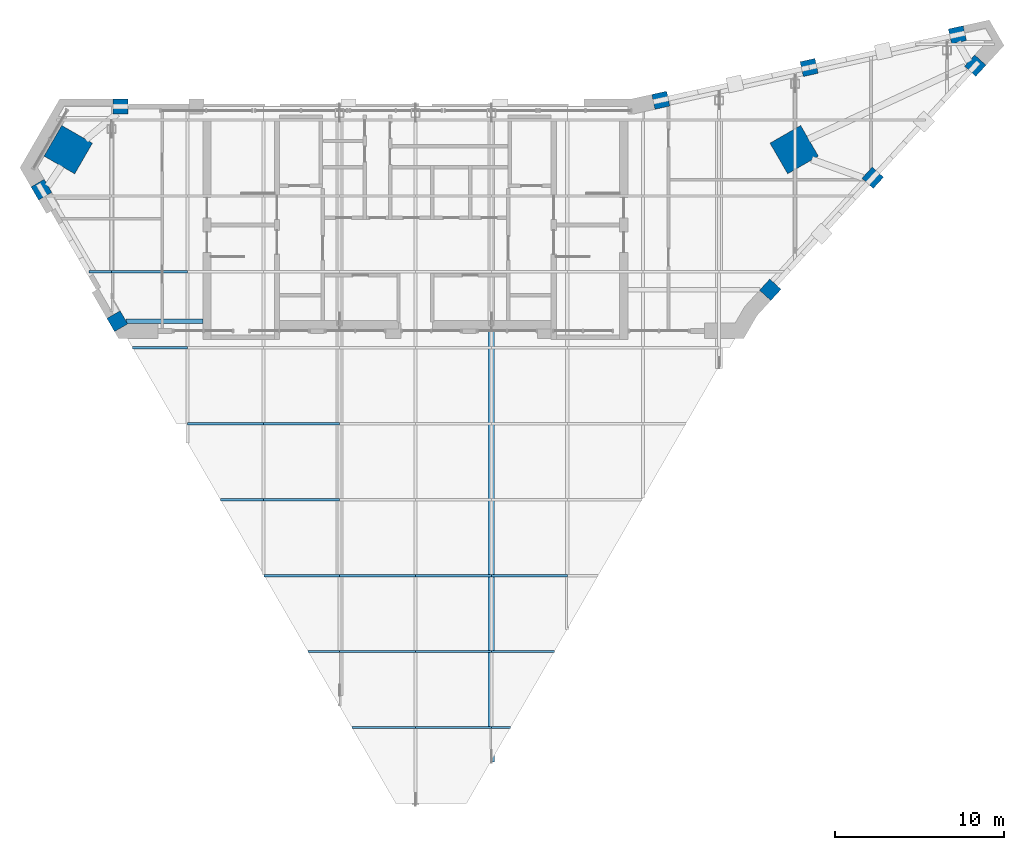
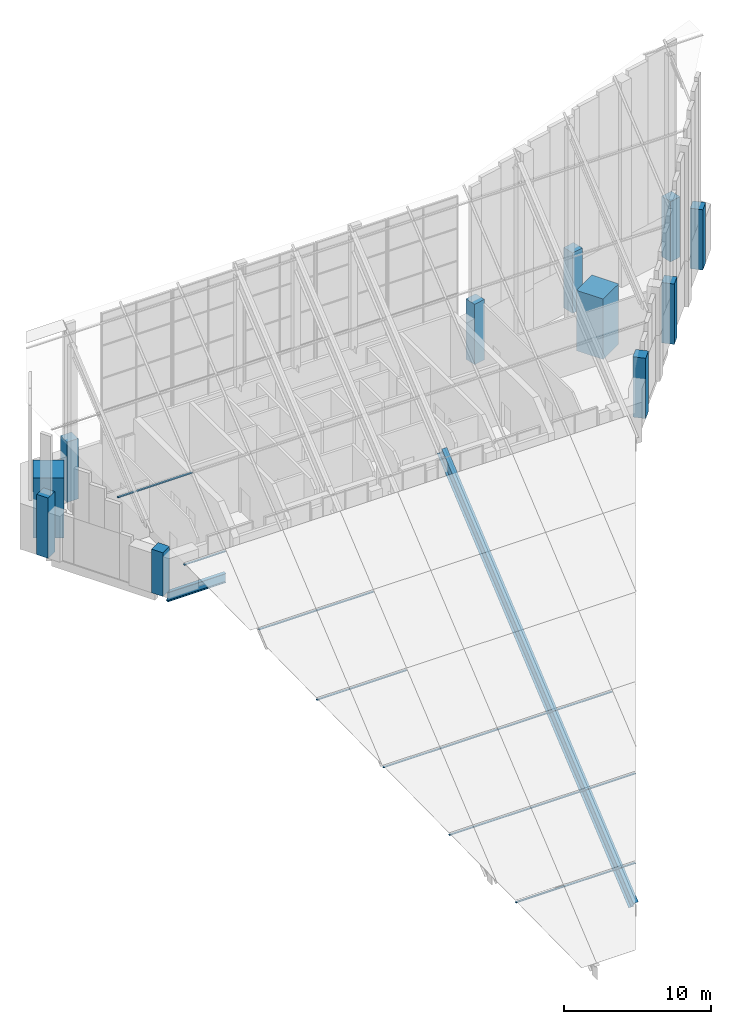
# One storey, part 1 of 19: 18 members, 11 columns, 2 beams, 7 elements without a shape of their own.
"""IFC4 building model written with IfcOpenShell, lengths in metres."""

from ifc_helpers import new_model, si_unit, direction, frame, origin, origin_2d, place, context, subcontext, project, spatial, rectangle, i_section, extrude, material, material_profile, profile_set, type_object, element, aggregate, save


model = new_model("IFC4")

# Units and contexts
model_context = context("Model", 3, precision=1e-05, world=origin(), true_north=direction((0.0, 1.0)))
body_context = subcontext(model_context, "Body", "Model", "MODEL_VIEW")
ifc_project = project(units=[si_unit("LENGTHUNIT", "METRE"), si_unit("AREAUNIT", "SQUARE_METRE"), si_unit("VOLUMEUNIT", "CUBIC_METRE"), si_unit("PLANEANGLEUNIT", "RADIAN"), si_unit("MASSUNIT", "GRAM", prefix="KILO")], contexts=[model_context])

# Site, building, storey
site_placement = place(None, origin())
site = spatial("IfcSite", under=ifc_project, at=site_placement, CompositionType="ELEMENT")
building_placement = place(site_placement, origin())
building = spatial("IfcBuilding", under=site, at=building_placement, Name="Calabash Gate Tower", CompositionType="ELEMENT")
storey_placement = place(building_placement, frame((0.0, 0.0, 335.5)))
storey = spatial("IfcBuildingStorey", under=building, at=storey_placement, Name="L78", CompositionType="ELEMENT", Elevation=335.5)

# Columns
ifc_material_1 = material(Name="Concrete C60/75", Category="concrete")
ifc_material_profile_1 = material_profile(ifc_material_1, rectangle(XDim=2.10009765625, YDim=2.10009765625, at=origin_2d()))
ifc_profile_set_1 = profile_set([ifc_material_profile_1], Name="Concrete C60/75")
column_type_1 = type_object("IfcColumnType", Name="Mega column RC 2100x2100 Concrete C60/75", PredefinedType="COLUMN", material=ifc_profile_set_1)
for number, where, z_axis, x_axis, name in (
    (1, (-20.572998046875, 16.491943359375, 0.0), (0.0, 0.0, 1.0), (0.866025395058, -0.500000015115, 0.0), "Mega column L78 NW"),
    (2, (22.447021484375, 16.491943359375, 0.0), (0.0, 0.0, 1.0), (-0.866025395058, -0.500000015115, 0.0), "Mega column L78 NE"),
):
    element("IfcColumn", number, at=place(storey_placement, frame(where, z_axis=z_axis, x_axis=x_axis)), inside=storey, type_object=column_type_1, Name=name, PredefinedType="COLUMN", context=body_context, shape_type="SweptSolid", body=[
        extrude(rectangle(XDim=2.10009765625, YDim=2.10009765625, at=origin_2d()), origin(), (0.0, 0.0, 1.0), 5.0),
    ])
ifc_material_2 = material(Name="Concrete C50/60", Category="concrete")
ifc_material_profile_2 = material_profile(ifc_material_2, rectangle(XDim=0.89990234375, YDim=0.89990234375, at=origin_2d()))
ifc_profile_set_2 = profile_set([ifc_material_profile_2], Name="Concrete C50/60")
column_type_2 = type_object("IfcColumnType", Name="Perimeter column RC 900x900 Concrete C50/60", PredefinedType="COLUMN", material=ifc_profile_set_2)
column_1_placement = place(storey_placement, frame((-22.162109375, 14.1201171875, 0.0), z_axis=(0.0, 0.0, 1.0), x_axis=(0.500000015115, -0.866025395058, 0.0)))
element("IfcColumn", 3, at=column_1_placement, inside=storey, type_object=column_type_2, Name="Perimeter column L78 P20", PredefinedType="COLUMN", context=body_context, shape_type="SweptSolid", body=[
    extrude(rectangle(XDim=0.89990234375, YDim=0.89990234375, at=origin_2d()), origin(), (0.0, 0.0, 1.0), 5.0),
])
column_2_placement = place(storey_placement, frame((-17.662109375, 6.325927734375, 0.0), z_axis=(0.0, 0.0, 1.0), x_axis=(0.500000015115, -0.866025395058, 0.0)))
element("IfcColumn", 4, at=column_2_placement, inside=storey, type_object=column_type_2, Name="Perimeter column L78 P00", PredefinedType="COLUMN", context=body_context, shape_type="SweptSolid", body=[
    extrude(rectangle(XDim=0.89990234375, YDim=0.89990234375, at=origin_2d()), origin(), (0.0, 0.0, 1.0), 3.614013671875),
])
for number, where, z_axis, x_axis, name in (
    (5, (21.031005859375, 8.18701171875, 0.0), (0.0, 0.0, 1.0), (0.67485604152, 0.737949404244, 0.0), "Perimeter column L78 P12"),
    (6, (27.10400390625, 14.825927734375, 0.0), (0.0, 0.0, 1.0), (0.67485604152, 0.737949404244, 0.0), "Perimeter column L78 P36"),
    (7, (33.177978515625, 21.468017578125, 0.0), (0.0, 0.0, 1.0), (0.67485604152, 0.737949404244, 0.0), "Perimeter column L78 P37"),
    (8, (32.12109375, 23.298095703125, 0.0), (0.0, 0.0, 1.0), (-0.976510951543, -0.215467773731, 0.0), "Perimeter column L78 P38"),
    (9, (23.3330078125, 21.35888671875, 0.0), (0.0, 0.0, 1.0), (-0.976510951543, -0.215467773731, 0.0), "Perimeter column L78 P39"),
    (10, (14.5439453125, 19.4189453125, 0.0), (0.0, 0.0, 1.0), (-0.976510951543, -0.215467773731, 0.0), "Perimeter column L78 P40"),
    (11, (-17.466064453125, 19.052978515625, 0.0), (0.0, 0.0, 1.0), (-1.0, 0.0, 0.0), "Perimeter column L78 P31"),
):
    element("IfcColumn", number, at=place(storey_placement, frame(where, z_axis=z_axis, x_axis=x_axis)), inside=storey, type_object=column_type_2, Name=name, PredefinedType="COLUMN", context=body_context, shape_type="SweptSolid", body=[
        extrude(rectangle(XDim=0.89990234375, YDim=0.89990234375, at=origin_2d()), origin(), (0.0, 0.0, 1.0), 5.0),
    ])

# Beams
ifc_material_3 = material(Name="Steel ASTM A992 Gr50", Category="steel")
ifc_material_profile_3 = material_profile(ifc_material_3, i_section(OverallWidth=0.2666015625, OverallDepth=0.77978515625, WebThickness=0.0166015625, FlangeThickness=0.030029296875, FilletRadius=0.0166015625, at=origin_2d()))
ifc_profile_set_3 = profile_set([ifc_material_profile_3], Name="Steel ASTM A992 Gr50")
beam_type_1 = type_object("IfcBeamType", Name="Girder W30x148 ASTM A992 Gr50", PredefinedType="BEAM", material=ifc_profile_set_3)
beam_1_placement = place(storey_placement, frame((-17.1640625, 6.325927734375, -0.590087890625), z_axis=(1.0, 0.0, 0.0), x_axis=(0.0, 1.0, 0.0)))
element("IfcBeam", 12, at=beam_1_placement, inside=storey, type_object=beam_type_1, Name="Girder L78 1", PredefinedType="BEAM", context=body_context, shape_type="SweptSolid", body=[
    extrude(i_section(OverallWidth=0.2666015625, OverallDepth=0.77978515625, WebThickness=0.0166015625, FlangeThickness=0.030029296875, FilletRadius=0.0166015625, at=origin_2d()), origin(), (0.0, 0.0, 1.0), 4.56396484375),
])
ifc_material_4 = material(Name="Steel ASTM A992 Gr50", Category="steel")
ifc_material_profile_4 = material_profile(ifc_material_4, i_section(OverallWidth=0.4013671875, OverallDepth=1.000732421875, WebThickness=0.01904296875, FlangeThickness=0.0361328125, FilletRadius=0.030029296875, at=origin_2d()))
ifc_profile_set_4 = profile_set([ifc_material_profile_4], Name="Steel ASTM A992 Gr50")
beam_type_2 = type_object("IfcBeamType", Name="Roof rafter W40x249 ASTM A992 Gr50", PredefinedType="BEAM", material=ifc_profile_set_4)
beam_2_placement = place(storey_placement, frame((4.5, -19.47607421875, -18.096923828125), z_axis=(0.0, 0.764987559987, 0.644045055151), x_axis=(-1.0, 0.0, 0.0)))
element("IfcBeam", 13, at=beam_2_placement, inside=storey, type_object=beam_type_2, Name="Roof rafter 5", PredefinedType="BEAM", context=body_context, shape_type="SweptSolid", body=[
    extrude(i_section(OverallWidth=0.4013671875, OverallDepth=1.000732421875, WebThickness=0.01904296875, FlangeThickness=0.0361328125, FilletRadius=0.030029296875, at=origin_2d()), origin(), (0.0, 0.0, 1.0), 33.989990234375),
])

# Curtain wall, member
ifc_material_5 = material(Name="Anodised aluminium frame, bronze finish, clear laminated low-emissivity glazing", Category="aluminium")
curtain_wall_type = type_object("IfcCurtainWallType", Name="Curtain wall CWC crown roof glazing", PredefinedType="NOTDEFINED", material=ifc_material_5)
curtain_wall_1_placement = place(storey_placement, origin())
curtain_wall_1 = element("IfcCurtainWall", 14, at=curtain_wall_1_placement, inside=storey, type_object=curtain_wall_type, Name="Curtain wall CWC roof glazing strip 1", PredefinedType="NOTDEFINED")
ifc_material_6 = material(Name="Anodised aluminium frame, bronze finish", Category="aluminium")
ifc_material_profile_5 = material_profile(ifc_material_6, rectangle(XDim=0.139892578125, YDim=0.06494140625, at=origin_2d()))
ifc_profile_set_5 = profile_set([ifc_material_profile_5], Name="Anodised aluminium frame, bronze finish")
member_type = type_object("IfcMemberType", Name="Transom CWC 65x140", PredefinedType="USERDEFINED", material=ifc_profile_set_5)
member_1_placement = place(storey_placement, frame((-19.34912109375, 9.248046875, 6.6142578125), z_axis=(1.0, 0.0, 0.0), x_axis=(0.0, 1.0, 0.0)))
member_1 = element("IfcMember", 15, at=member_1_placement, type_object=member_type, Name="CWC roof transom 1.1", ObjectType="TRANSOM", PredefinedType="USERDEFINED", context=body_context, shape_type="SweptSolid", body=[
    extrude(rectangle(XDim=0.139892578125, YDim=0.06494140625, at=origin_2d()), origin(), (0.0, 0.0, 1.0), 1.34912109375),
])
aggregate(curtain_wall_1, [member_1])

# Curtain wall, members
curtain_wall_2_placement = place(storey_placement, origin())
curtain_wall_2 = element("IfcCurtainWall", 16, at=curtain_wall_2_placement, inside=storey, type_object=curtain_wall_type, Name="Curtain wall CWC roof glazing strip 2", PredefinedType="NOTDEFINED")
member_2_placement = place(storey_placement, frame((-16.7509765625, 4.748046875, 2.838134765625), z_axis=(1.0, 0.0, 0.0), x_axis=(0.0, 1.0, 0.0)))
member_2 = element("IfcMember", 17, at=member_2_placement, type_object=member_type, Name="CWC roof transom 2.1", ObjectType="TRANSOM", PredefinedType="USERDEFINED", context=body_context, shape_type="SweptSolid", body=[
    extrude(rectangle(XDim=0.139892578125, YDim=0.06494140625, at=origin_2d()), origin(), (0.0, 0.0, 1.0), 3.2509765625),
])
member_3_placement = place(storey_placement, frame((-18.0, 9.248046875, 6.6142578125), z_axis=(1.0, 0.0, 0.0), x_axis=(0.0, 1.0, 0.0)))
member_3 = element("IfcMember", 18, at=member_3_placement, type_object=member_type, Name="CWC roof transom 2.2", ObjectType="TRANSOM", PredefinedType="USERDEFINED", context=body_context, shape_type="SweptSolid", body=[
    extrude(rectangle(XDim=0.139892578125, YDim=0.06494140625, at=origin_2d()), origin(), (0.0, 0.0, 1.0), 4.5),
])
aggregate(curtain_wall_2, [member_2, member_3])

curtain_wall_3_placement = place(storey_placement, origin())
curtain_wall_3 = element("IfcCurtainWall", 19, at=curtain_wall_3_placement, inside=storey, type_object=curtain_wall_type, Name="Curtain wall CWC roof glazing strip 3", PredefinedType="NOTDEFINED")
member_4_placement = place(storey_placement, frame((-11.554931640625, -4.251953125, -4.713623046875), z_axis=(1.0, 0.0, 0.0), x_axis=(0.0, 1.0, 0.0)))
member_4 = element("IfcMember", 20, at=member_4_placement, type_object=member_type, Name="CWC roof transom 3.1", ObjectType="TRANSOM", PredefinedType="USERDEFINED", context=body_context, shape_type="SweptSolid", body=[
    extrude(rectangle(XDim=0.139892578125, YDim=0.06494140625, at=origin_2d()), origin(), (0.0, 0.0, 1.0), 2.554931640625),
])
member_5_placement = place(storey_placement, frame((-13.5, 0.248046875, -0.937744140625), z_axis=(1.0, 0.0, 0.0), x_axis=(0.0, 1.0, 0.0)))
member_5 = element("IfcMember", 21, at=member_5_placement, type_object=member_type, Name="CWC roof transom 3.2", ObjectType="TRANSOM", PredefinedType="USERDEFINED", context=body_context, shape_type="SweptSolid", body=[
    extrude(rectangle(XDim=0.139892578125, YDim=0.06494140625, at=origin_2d()), origin(), (0.0, 0.0, 1.0), 4.5),
])
aggregate(curtain_wall_3, [member_4, member_5])

curtain_wall_4_placement = place(storey_placement, origin())
curtain_wall_4 = element("IfcCurtainWall", 22, at=curtain_wall_4_placement, inside=storey, type_object=curtain_wall_type, Name="Curtain wall CWC roof glazing strip 4", PredefinedType="NOTDEFINED")
member_6_placement = place(storey_placement, frame((-6.358642578125, -13.251953125, -12.265625), z_axis=(1.0, 0.0, 0.0), x_axis=(0.0, 1.0, 0.0)))
member_6 = element("IfcMember", 23, at=member_6_placement, type_object=member_type, Name="CWC roof transom 4.1", ObjectType="TRANSOM", PredefinedType="USERDEFINED", context=body_context, shape_type="SweptSolid", body=[
    extrude(rectangle(XDim=0.139892578125, YDim=0.06494140625, at=origin_2d()), origin(), (0.0, 0.0, 1.0), 1.858642578125),
])
member_7_placement = place(storey_placement, frame((-8.956787109375, -8.751953125, -8.48974609375), z_axis=(1.0, 0.0, 0.0), x_axis=(0.0, 1.0, 0.0)))
member_7 = element("IfcMember", 24, at=member_7_placement, type_object=member_type, Name="CWC roof transom 4.2", ObjectType="TRANSOM", PredefinedType="USERDEFINED", context=body_context, shape_type="SweptSolid", body=[
    extrude(rectangle(XDim=0.139892578125, YDim=0.06494140625, at=origin_2d()), origin(), (0.0, 0.0, 1.0), 4.456787109375),
])
member_8_placement = place(storey_placement, frame((-9.0, -4.251953125, -4.713623046875), z_axis=(1.0, 0.0, 0.0), x_axis=(0.0, 1.0, 0.0)))
member_8 = element("IfcMember", 25, at=member_8_placement, type_object=member_type, Name="CWC roof transom 4.3", ObjectType="TRANSOM", PredefinedType="USERDEFINED", context=body_context, shape_type="SweptSolid", body=[
    extrude(rectangle(XDim=0.139892578125, YDim=0.06494140625, at=origin_2d()), origin(), (0.0, 0.0, 1.0), 4.5),
])
member_9_placement = place(storey_placement, frame((-9.0, 0.248046875, -0.937744140625), z_axis=(1.0, 0.0, 0.0), x_axis=(0.0, 1.0, 0.0)))
member_9 = element("IfcMember", 26, at=member_9_placement, type_object=member_type, Name="CWC roof transom 4.4", ObjectType="TRANSOM", PredefinedType="USERDEFINED", context=body_context, shape_type="SweptSolid", body=[
    extrude(rectangle(XDim=0.139892578125, YDim=0.06494140625, at=origin_2d()), origin(), (0.0, 0.0, 1.0), 4.5),
])
aggregate(curtain_wall_4, [member_6, member_7, member_8, member_9])

curtain_wall_5_placement = place(storey_placement, origin())
curtain_wall_5 = element("IfcCurtainWall", 27, at=curtain_wall_5_placement, inside=storey, type_object=curtain_wall_type, Name="Curtain wall CWC roof glazing strip 5", PredefinedType="NOTDEFINED")
member_10_placement = place(storey_placement, frame((-3.760498046875, -17.751953125, -16.04150390625), z_axis=(1.0, 0.0, 0.0), x_axis=(0.0, 1.0, 0.0)))
member_10 = element("IfcMember", 28, at=member_10_placement, type_object=member_type, Name="CWC roof transom 5.1", ObjectType="TRANSOM", PredefinedType="USERDEFINED", context=body_context, shape_type="SweptSolid", body=[
    extrude(rectangle(XDim=0.139892578125, YDim=0.06494140625, at=origin_2d()), origin(), (0.0, 0.0, 1.0), 3.760498046875),
])
member_11_placement = place(storey_placement, frame((-4.5, -13.251953125, -12.265625), z_axis=(1.0, 0.0, 0.0), x_axis=(0.0, 1.0, 0.0)))
member_11 = element("IfcMember", 29, at=member_11_placement, type_object=member_type, Name="CWC roof transom 5.2", ObjectType="TRANSOM", PredefinedType="USERDEFINED", context=body_context, shape_type="SweptSolid", body=[
    extrude(rectangle(XDim=0.139892578125, YDim=0.06494140625, at=origin_2d()), origin(), (0.0, 0.0, 1.0), 4.5),
])
member_12_placement = place(storey_placement, frame((-4.5, -8.751953125, -8.48974609375), z_axis=(1.0, 0.0, 0.0), x_axis=(0.0, 1.0, 0.0)))
member_12 = element("IfcMember", 30, at=member_12_placement, type_object=member_type, Name="CWC roof transom 5.3", ObjectType="TRANSOM", PredefinedType="USERDEFINED", context=body_context, shape_type="SweptSolid", body=[
    extrude(rectangle(XDim=0.139892578125, YDim=0.06494140625, at=origin_2d()), origin(), (0.0, 0.0, 1.0), 4.5),
])
aggregate(curtain_wall_5, [member_10, member_11, member_12])

curtain_wall_6_placement = place(storey_placement, origin())
curtain_wall_6 = element("IfcCurtainWall", 31, at=curtain_wall_6_placement, inside=storey, type_object=curtain_wall_type, Name="Curtain wall CWC roof glazing strip 6", PredefinedType="NOTDEFINED")
member_13_placement = place(storey_placement, frame((0.0, -17.751953125, -16.04150390625), z_axis=(1.0, 0.0, 0.0), x_axis=(0.0, 1.0, 0.0)))
member_13 = element("IfcMember", 32, at=member_13_placement, type_object=member_type, Name="CWC roof transom 6.1", ObjectType="TRANSOM", PredefinedType="USERDEFINED", context=body_context, shape_type="SweptSolid", body=[
    extrude(rectangle(XDim=0.139892578125, YDim=0.06494140625, at=origin_2d()), origin(), (0.0, 0.0, 1.0), 4.5),
])
member_14_placement = place(storey_placement, frame((0.0, -13.251953125, -12.265625), z_axis=(1.0, 0.0, 0.0), x_axis=(0.0, 1.0, 0.0)))
member_14 = element("IfcMember", 33, at=member_14_placement, type_object=member_type, Name="CWC roof transom 6.2", ObjectType="TRANSOM", PredefinedType="USERDEFINED", context=body_context, shape_type="SweptSolid", body=[
    extrude(rectangle(XDim=0.139892578125, YDim=0.06494140625, at=origin_2d()), origin(), (0.0, 0.0, 1.0), 4.5),
])
member_15_placement = place(storey_placement, frame((0.0, -8.751953125, -8.48974609375), z_axis=(1.0, 0.0, 0.0), x_axis=(0.0, 1.0, 0.0)))
member_15 = element("IfcMember", 34, at=member_15_placement, type_object=member_type, Name="CWC roof transom 6.3", ObjectType="TRANSOM", PredefinedType="USERDEFINED", context=body_context, shape_type="SweptSolid", body=[
    extrude(rectangle(XDim=0.139892578125, YDim=0.06494140625, at=origin_2d()), origin(), (0.0, 0.0, 1.0), 4.5),
])
aggregate(curtain_wall_6, [member_13, member_14, member_15])

curtain_wall_7_placement = place(storey_placement, origin())
curtain_wall_7 = element("IfcCurtainWall", 35, at=curtain_wall_7_placement, inside=storey, type_object=curtain_wall_type, Name="Curtain wall CWC roof glazing strip 7", PredefinedType="NOTDEFINED")
member_16_placement = place(storey_placement, frame((4.5, -17.751953125, -16.04150390625), z_axis=(1.0, 0.0, 0.0), x_axis=(0.0, 1.0, 0.0)))
member_16 = element("IfcMember", 36, at=member_16_placement, type_object=member_type, Name="CWC roof transom 7.1", ObjectType="TRANSOM", PredefinedType="USERDEFINED", context=body_context, shape_type="SweptSolid", body=[
    extrude(rectangle(XDim=0.139892578125, YDim=0.06494140625, at=origin_2d()), origin(), (0.0, 0.0, 1.0), 1.13232421875),
])
member_17_placement = place(storey_placement, frame((4.5, -13.251953125, -12.265625), z_axis=(1.0, 0.0, 0.0), x_axis=(0.0, 1.0, 0.0)))
member_17 = element("IfcMember", 37, at=member_17_placement, type_object=member_type, Name="CWC roof transom 7.2", ObjectType="TRANSOM", PredefinedType="USERDEFINED", context=body_context, shape_type="SweptSolid", body=[
    extrude(rectangle(XDim=0.139892578125, YDim=0.06494140625, at=origin_2d()), origin(), (0.0, 0.0, 1.0), 3.73046875),
])
member_18_placement = place(storey_placement, frame((4.5, -8.751953125, -8.48974609375), z_axis=(1.0, 0.0, 0.0), x_axis=(0.0, 1.0, 0.0)))
member_18 = element("IfcMember", 38, at=member_18_placement, type_object=member_type, Name="CWC roof transom 7.3", ObjectType="TRANSOM", PredefinedType="USERDEFINED", context=body_context, shape_type="SweptSolid", body=[
    extrude(rectangle(XDim=0.139892578125, YDim=0.06494140625, at=origin_2d()), origin(), (0.0, 0.0, 1.0), 4.5),
])
aggregate(curtain_wall_7, [member_16, member_17, member_18])

save(model, "model.ifc")
